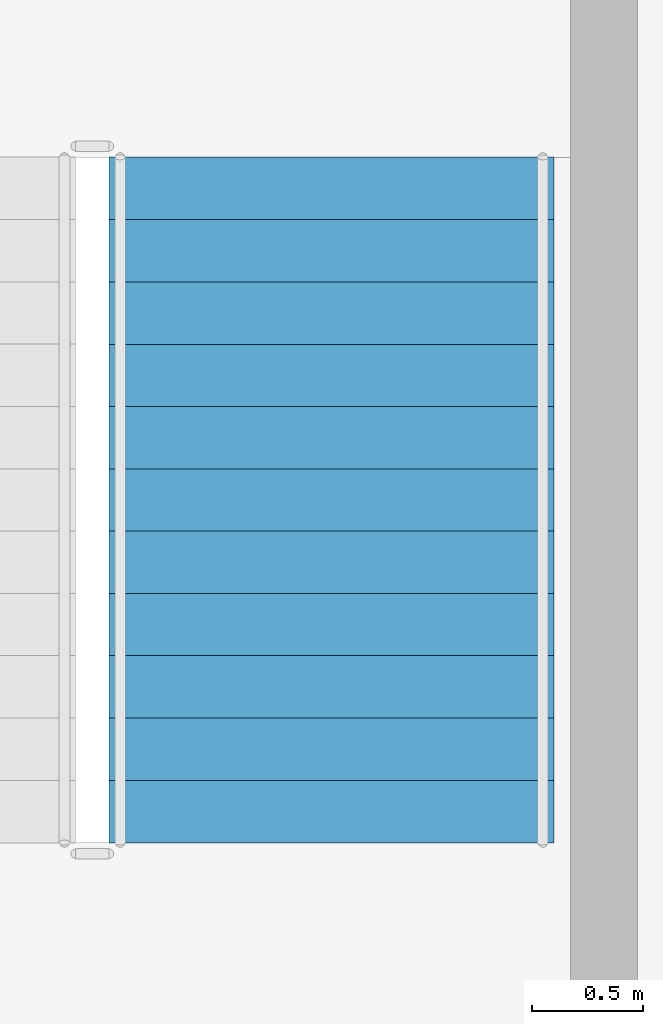
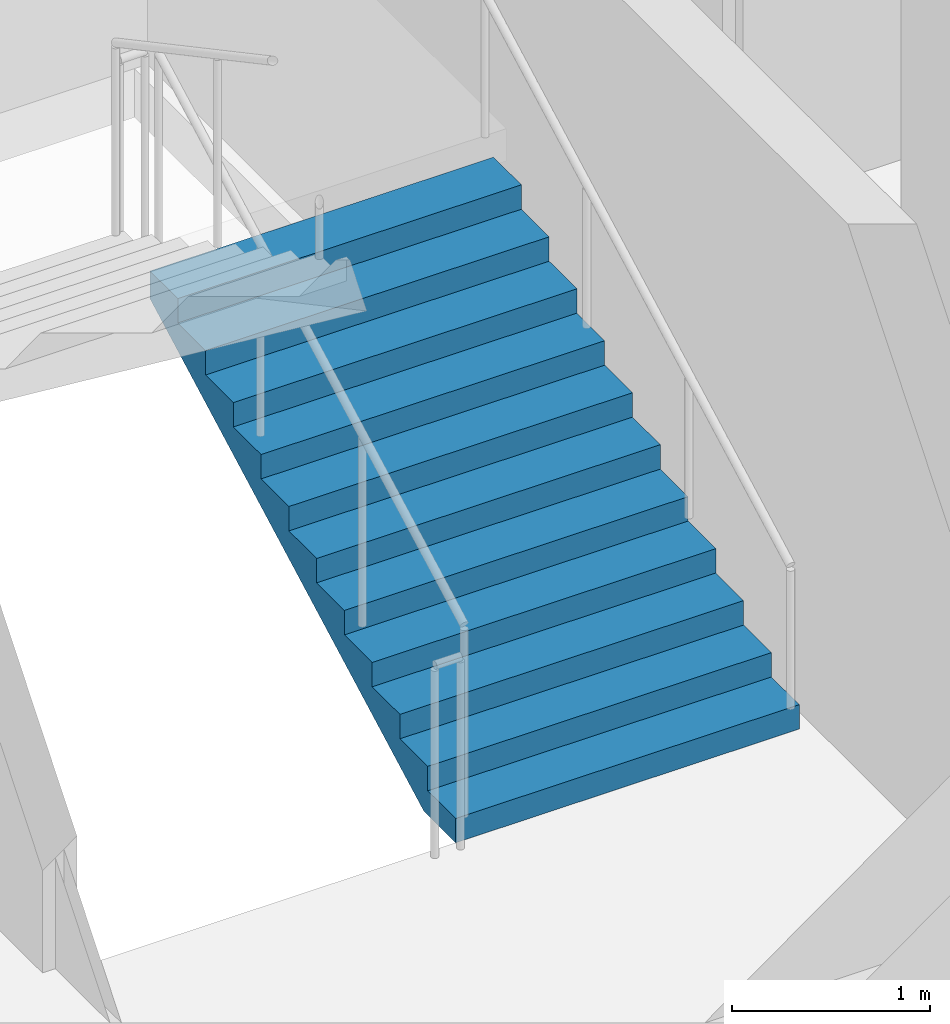
# One storey, part 11 of 14: 1 stair flight, 1 element without a shape of its own.
"""IFC4 building model written with IfcOpenShell, lengths in metres."""

from ifc_helpers import new_model, si_unit, direction, frame, origin, place, context, subcontext, project, spatial, polygons, material, type_object, element, aggregate, save


model = new_model("IFC4")

# Units and contexts
model_context = context("Model", 3, precision=1e-05, world=origin(), true_north=direction((0.0, 1.0)))
body_context = subcontext(model_context, "Body", "Model", "MODEL_VIEW")
ifc_project = project(units=[si_unit("LENGTHUNIT", "METRE"), si_unit("AREAUNIT", "SQUARE_METRE"), si_unit("VOLUMEUNIT", "CUBIC_METRE"), si_unit("PLANEANGLEUNIT", "RADIAN"), si_unit("MASSUNIT", "GRAM", prefix="KILO")], contexts=[model_context])

# Site, building, storey
site_placement = place(None, origin())
site = spatial("IfcSite", under=ifc_project, at=site_placement, CompositionType="ELEMENT")
building_placement = place(site_placement, origin())
building = spatial("IfcBuilding", under=site, at=building_placement, Name="Caravel Reach Hotel and Residences", CompositionType="ELEMENT")
storey_placement = place(building_placement, frame((0.0, 0.0, 37.199951171875)))
storey = spatial("IfcBuildingStorey", under=building, at=storey_placement, Name="L07", CompositionType="ELEMENT", Elevation=37.199951171875)

# Stair, stair flight
ifc_material_1 = material(Name="Concrete C40", Category="concrete")
stair_type = type_object("IfcStairType", Name="Core stair", PredefinedType="HALF_TURN_STAIR", material=ifc_material_1)
stair_placement = place(storey_placement, origin())
stair = element("IfcStair", 1, at=stair_placement, inside=storey, type_object=stair_type, Name="L07 Exit stair B", PredefinedType="HALF_TURN_STAIR")
ifc_material_2 = material(Name="Concrete C40", Category="concrete")
stair_flight_type = type_object("IfcStairFlightType", Name="Core stair flight", PredefinedType="STRAIGHT", material=ifc_material_2)
stair_flight_placement = place(storey_placement, frame((43.77490234375, 24.64990234375, 0.0), z_axis=(0.0, 0.0, 1.0), x_axis=(0.0, 1.0, 0.0)))
stair_flight = element("IfcStairFlight", 2, at=stair_flight_placement, type_object=stair_flight_type, Name="ST-B flight 1", NumberOfRisers=12, NumberOfTreads=11, PredefinedType="STRAIGHT", RiserHeight=0.15, TreadLength=0.28, context=body_context, shape_type="Tessellation", body=[
    polygons([(0.3174408016601862, 1.0, 0.0), (0.3174408016601862, 0.6666666666666667, 0.0), (0.3174408016601862, 0.33333333333333337, 0.0), (0.3174408016601862, 0.0, 0.0), (0.3174408016601862, -0.33333333333333326, 0.0), (0.3174408016601862, -0.6666666666666667, 0.0), (0.3174408016601862, -1.0, 0.0), (3.081, 1.0, 1.479942427682043), (3.081, 0.6666666666666667, 1.479942427682043), (3.081, 0.33333333333333337, 1.479942427682043), (3.081, 0.0, 1.479942427682043), (3.081, -0.33333333333333326, 1.479942427682043), (3.081, -0.6666666666666667, 1.479942427682043), (3.081, -1.0, 1.479942427682043), (3.081, 1.0, 1.65), (3.081, 0.6666666666666667, 1.65), (3.081, 0.33333333333333337, 1.65), (3.081, 0.0, 1.65), (3.081, -0.33333333333333326, 1.65), (3.081, -0.6666666666666667, 1.65), (3.081, -1.0, 1.65), (2.8000000000000003, 1.0, 1.65), (2.8000000000000003, 0.6666666666666667, 1.65), (2.8000000000000003, 0.33333333333333337, 1.65), (2.8000000000000003, 0.0, 1.65), (2.8000000000000003, -0.33333333333333326, 1.65), (2.8000000000000003, -0.6666666666666667, 1.65), (2.8000000000000003, -1.0, 1.65), (2.8000000000000003, 1.0, 1.5), (2.8000000000000003, 0.6666666666666667, 1.5), (2.8000000000000003, 0.33333333333333337, 1.5), (2.8000000000000003, 0.0, 1.5), (2.8000000000000003, -0.33333333333333326, 1.5), (2.8000000000000003, -0.6666666666666667, 1.5), (2.8000000000000003, -1.0, 1.5), (2.5200000000000005, 1.0, 1.5), (2.5200000000000005, 0.6666666666666667, 1.5), (2.5200000000000005, 0.33333333333333337, 1.5), (2.5200000000000005, 0.0, 1.5), (2.5200000000000005, -0.33333333333333326, 1.5), (2.5200000000000005, -0.6666666666666667, 1.5), (2.5200000000000005, -1.0, 1.5), (2.5200000000000005, 1.0, 1.3499999999999999), (2.5200000000000005, 0.6666666666666667, 1.3499999999999999), (2.5200000000000005, 0.33333333333333337, 1.3499999999999999), (2.5200000000000005, 0.0, 1.3499999999999999), (2.5200000000000005, -0.33333333333333326, 1.3499999999999999), (2.5200000000000005, -0.6666666666666667, 1.3499999999999999), (2.5200000000000005, -1.0, 1.3499999999999999), (2.24, 1.0, 1.3499999999999999), (2.24, 0.6666666666666667, 1.3499999999999999), (2.24, 0.33333333333333337, 1.3499999999999999), (2.24, 0.0, 1.3499999999999999), (2.24, -0.33333333333333326, 1.3499999999999999), (2.24, -0.6666666666666667, 1.3499999999999999), (2.24, -1.0, 1.3499999999999999), (2.24, 1.0, 1.2), (2.24, 0.6666666666666667, 1.2), (2.24, 0.33333333333333337, 1.2), (2.24, 0.0, 1.2), (2.24, -0.33333333333333326, 1.2), (2.24, -0.6666666666666667, 1.2), (2.24, -1.0, 1.2), (1.9600000000000002, 1.0, 1.2), (1.9600000000000002, 0.6666666666666667, 1.2), (1.9600000000000002, 0.33333333333333337, 1.2), (1.9600000000000002, 0.0, 1.2), (1.9600000000000002, -0.33333333333333326, 1.2), (1.9600000000000002, -0.6666666666666667, 1.2), (1.9600000000000002, -1.0, 1.2), (1.9600000000000002, 1.0, 1.05), (1.9600000000000002, 0.6666666666666667, 1.05), (1.9600000000000002, 0.33333333333333337, 1.05), (1.9600000000000002, 0.0, 1.05), (1.9600000000000002, -0.33333333333333326, 1.05), (1.9600000000000002, -0.6666666666666667, 1.05), (1.9600000000000002, -1.0, 1.05), (1.6800000000000002, 1.0, 1.05), (1.6800000000000002, 0.6666666666666667, 1.05), (1.6800000000000002, 0.33333333333333337, 1.05), (1.6800000000000002, 0.0, 1.05), (1.6800000000000002, -0.33333333333333326, 1.05), (1.6800000000000002, -0.6666666666666667, 1.05), (1.6800000000000002, -1.0, 1.05), (1.6800000000000002, 1.0, 0.8999999999999999), (1.6800000000000002, 0.6666666666666667, 0.8999999999999999), (1.6800000000000002, 0.33333333333333337, 0.8999999999999999), (1.6800000000000002, 0.0, 0.8999999999999999), (1.6800000000000002, -0.33333333333333326, 0.8999999999999999), (1.6800000000000002, -0.6666666666666667, 0.8999999999999999), (1.6800000000000002, -1.0, 0.8999999999999999), (1.4000000000000001, 1.0, 0.8999999999999999), (1.4000000000000001, 0.6666666666666667, 0.8999999999999999), (1.4000000000000001, 0.33333333333333337, 0.8999999999999999), (1.4000000000000001, 0.0, 0.8999999999999999), (1.4000000000000001, -0.33333333333333326, 0.8999999999999999), (1.4000000000000001, -0.6666666666666667, 0.8999999999999999), (1.4000000000000001, -1.0, 0.8999999999999999), (1.4000000000000001, 1.0, 0.75), (1.4000000000000001, 0.6666666666666667, 0.75), (1.4000000000000001, 0.33333333333333337, 0.75), (1.4000000000000001, 0.0, 0.75), (1.4000000000000001, -0.33333333333333326, 0.75), (1.4000000000000001, -0.6666666666666667, 0.75), (1.4000000000000001, -1.0, 0.75), (1.12, 1.0, 0.75), (1.12, 0.6666666666666667, 0.75), (1.12, 0.33333333333333337, 0.75), (1.12, 0.0, 0.75), (1.12, -0.33333333333333326, 0.75), (1.12, -0.6666666666666667, 0.75), (1.12, -1.0, 0.75), (1.12, 1.0, 0.6), (1.12, 0.6666666666666667, 0.6), (1.12, 0.33333333333333337, 0.6), (1.12, 0.0, 0.6), (1.12, -0.33333333333333326, 0.6), (1.12, -0.6666666666666667, 0.6), (1.12, -1.0, 0.6), (0.8400000000000001, 1.0, 0.6), (0.8400000000000001, 0.6666666666666667, 0.6), (0.8400000000000001, 0.33333333333333337, 0.6), (0.8400000000000001, 0.0, 0.6), (0.8400000000000001, -0.33333333333333326, 0.6), (0.8400000000000001, -0.6666666666666667, 0.6), (0.8400000000000001, -1.0, 0.6), (0.8400000000000001, 1.0, 0.44999999999999996), (0.8400000000000001, 0.6666666666666667, 0.44999999999999996), (0.8400000000000001, 0.33333333333333337, 0.44999999999999996), (0.8400000000000001, 0.0, 0.44999999999999996), (0.8400000000000001, -0.33333333333333326, 0.44999999999999996), (0.8400000000000001, -0.6666666666666667, 0.44999999999999996), (0.8400000000000001, -1.0, 0.44999999999999996), (0.56, 1.0, 0.44999999999999996), (0.56, 0.6666666666666667, 0.44999999999999996), (0.56, 0.33333333333333337, 0.44999999999999996), (0.56, 0.0, 0.44999999999999996), (0.56, -0.33333333333333326, 0.44999999999999996), (0.56, -0.6666666666666667, 0.44999999999999996), (0.56, -1.0, 0.44999999999999996), (0.56, 1.0, 0.3), (0.56, 0.6666666666666667, 0.3), (0.56, 0.33333333333333337, 0.3), (0.56, 0.0, 0.3), (0.56, -0.33333333333333326, 0.3), (0.56, -0.6666666666666667, 0.3), (0.56, -1.0, 0.3), (0.28, 1.0, 0.3), (0.28, 0.6666666666666667, 0.3), (0.28, 0.33333333333333337, 0.3), (0.28, 0.0, 0.3), (0.28, -0.33333333333333326, 0.3), (0.28, -0.6666666666666667, 0.3), (0.28, -1.0, 0.3), (0.28, 1.0, 0.15), (0.28, 0.6666666666666667, 0.15), (0.28, 0.33333333333333337, 0.15), (0.28, 0.0, 0.15), (0.28, -0.33333333333333326, 0.15), (0.28, -0.6666666666666667, 0.15), (0.28, -1.0, 0.15), (-0.001, 1.0, 0.15), (-0.001, 0.6666666666666667, 0.15), (-0.001, 0.33333333333333337, 0.15), (-0.001, 0.0, 0.15), (-0.001, -0.33333333333333326, 0.15), (-0.001, -0.6666666666666667, 0.15), (-0.001, -1.0, 0.15), (-0.001, 1.0, 0.0), (-0.001, 0.6666666666666667, 0.0), (-0.001, 0.33333333333333337, 0.0), (-0.001, 0.0, 0.0), (-0.001, -0.33333333333333326, 0.0), (-0.001, -0.6666666666666667, 0.0), (-0.001, -1.0, 0.0)], [[[169, 162, 155, 148, 141, 134, 127, 120, 113, 106, 99, 92, 85, 78, 71, 64, 57, 50, 43, 36, 29, 22, 15, 8, 1]], [[7, 14, 21, 28, 35, 42, 49, 56, 63, 70, 77, 84, 91, 98, 105, 112, 119, 126, 133, 140, 147, 154, 161, 168, 175]], [[1, 8, 9, 2]], [[2, 9, 10, 3]], [[3, 10, 11, 4]], [[4, 11, 12, 5]], [[5, 12, 13, 6]], [[6, 13, 14, 7]], [[8, 15, 16, 9]], [[9, 16, 17, 10]], [[10, 17, 18, 11]], [[11, 18, 19, 12]], [[12, 19, 20, 13]], [[13, 20, 21, 14]], [[15, 22, 23, 16]], [[16, 23, 24, 17]], [[17, 24, 25, 18]], [[18, 25, 26, 19]], [[19, 26, 27, 20]], [[20, 27, 28, 21]], [[22, 29, 30, 23]], [[23, 30, 31, 24]], [[24, 31, 32, 25]], [[25, 32, 33, 26]], [[26, 33, 34, 27]], [[27, 34, 35, 28]], [[29, 36, 37, 30]], [[30, 37, 38, 31]], [[31, 38, 39, 32]], [[32, 39, 40, 33]], [[33, 40, 41, 34]], [[34, 41, 42, 35]], [[36, 43, 44, 37]], [[37, 44, 45, 38]], [[38, 45, 46, 39]], [[39, 46, 47, 40]], [[40, 47, 48, 41]], [[41, 48, 49, 42]], [[43, 50, 51, 44]], [[44, 51, 52, 45]], [[45, 52, 53, 46]], [[46, 53, 54, 47]], [[47, 54, 55, 48]], [[48, 55, 56, 49]], [[50, 57, 58, 51]], [[51, 58, 59, 52]], [[52, 59, 60, 53]], [[53, 60, 61, 54]], [[54, 61, 62, 55]], [[55, 62, 63, 56]], [[57, 64, 65, 58]], [[58, 65, 66, 59]], [[59, 66, 67, 60]], [[60, 67, 68, 61]], [[61, 68, 69, 62]], [[62, 69, 70, 63]], [[64, 71, 72, 65]], [[65, 72, 73, 66]], [[66, 73, 74, 67]], [[67, 74, 75, 68]], [[68, 75, 76, 69]], [[69, 76, 77, 70]], [[71, 78, 79, 72]], [[72, 79, 80, 73]], [[73, 80, 81, 74]], [[74, 81, 82, 75]], [[75, 82, 83, 76]], [[76, 83, 84, 77]], [[78, 85, 86, 79]], [[79, 86, 87, 80]], [[80, 87, 88, 81]], [[81, 88, 89, 82]], [[82, 89, 90, 83]], [[83, 90, 91, 84]], [[85, 92, 93, 86]], [[86, 93, 94, 87]], [[87, 94, 95, 88]], [[88, 95, 96, 89]], [[89, 96, 97, 90]], [[90, 97, 98, 91]], [[92, 99, 100, 93]], [[93, 100, 101, 94]], [[94, 101, 102, 95]], [[95, 102, 103, 96]], [[96, 103, 104, 97]], [[97, 104, 105, 98]], [[99, 106, 107, 100]], [[100, 107, 108, 101]], [[101, 108, 109, 102]], [[102, 109, 110, 103]], [[103, 110, 111, 104]], [[104, 111, 112, 105]], [[106, 113, 114, 107]], [[107, 114, 115, 108]], [[108, 115, 116, 109]], [[109, 116, 117, 110]], [[110, 117, 118, 111]], [[111, 118, 119, 112]], [[113, 120, 121, 114]], [[114, 121, 122, 115]], [[115, 122, 123, 116]], [[116, 123, 124, 117]], [[117, 124, 125, 118]], [[118, 125, 126, 119]], [[120, 127, 128, 121]], [[121, 128, 129, 122]], [[122, 129, 130, 123]], [[123, 130, 131, 124]], [[124, 131, 132, 125]], [[125, 132, 133, 126]], [[127, 134, 135, 128]], [[128, 135, 136, 129]], [[129, 136, 137, 130]], [[130, 137, 138, 131]], [[131, 138, 139, 132]], [[132, 139, 140, 133]], [[134, 141, 142, 135]], [[135, 142, 143, 136]], [[136, 143, 144, 137]], [[137, 144, 145, 138]], [[138, 145, 146, 139]], [[139, 146, 147, 140]], [[141, 148, 149, 142]], [[142, 149, 150, 143]], [[143, 150, 151, 144]], [[144, 151, 152, 145]], [[145, 152, 153, 146]], [[146, 153, 154, 147]], [[148, 155, 156, 149]], [[149, 156, 157, 150]], [[150, 157, 158, 151]], [[151, 158, 159, 152]], [[152, 159, 160, 153]], [[153, 160, 161, 154]], [[155, 162, 163, 156]], [[156, 163, 164, 157]], [[157, 164, 165, 158]], [[158, 165, 166, 159]], [[159, 166, 167, 160]], [[160, 167, 168, 161]], [[162, 169, 170, 163]], [[163, 170, 171, 164]], [[164, 171, 172, 165]], [[165, 172, 173, 166]], [[166, 173, 174, 167]], [[167, 174, 175, 168]], [[169, 1, 2, 170]], [[170, 2, 3, 171]], [[171, 3, 4, 172]], [[172, 4, 5, 173]], [[173, 5, 6, 174]], [[174, 6, 7, 175]]], closed=True),
])
aggregate(stair, [stair_flight])

save(model, "model.ifc")
